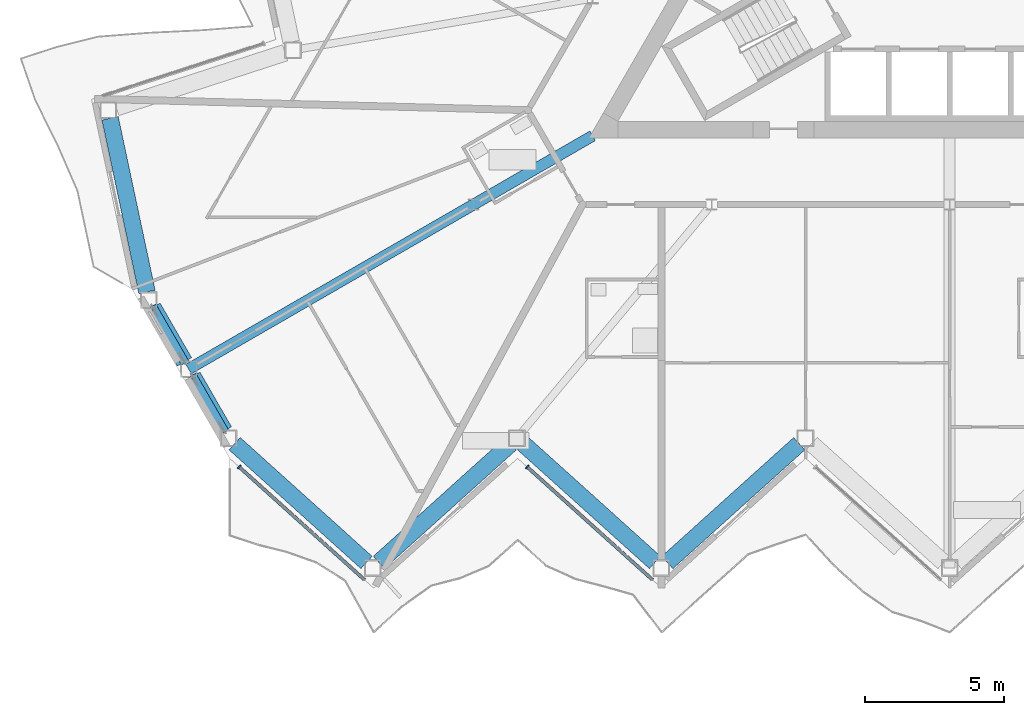
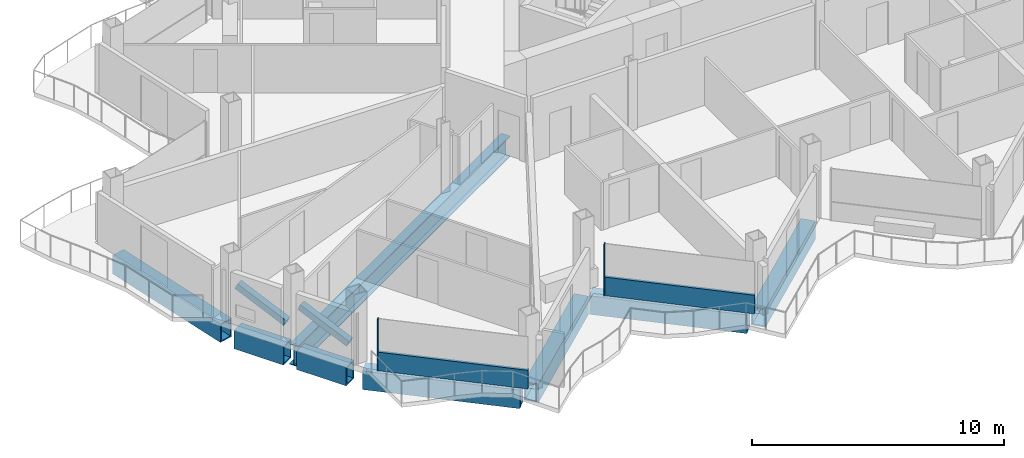
# One storey, part 4 of 28: 7 beams, 7 members, 2 elements without a shape of their own.
"""IFC4 building model written with IfcOpenShell, lengths in metres."""

from ifc_helpers import new_model, si_unit, direction, frame, origin, origin_2d, place, context, subcontext, project, spatial, rectangle, hollow_rectangle, i_section, extrude, material, layer, layer_set, material_profile, profile_set, type_object, element, aggregate, save


model = new_model("IFC4")

# Units and contexts
model_context = context("Model", 3, precision=1e-05, world=origin(), true_north=direction((0.0, 1.0)))
body_context = subcontext(model_context, "Body", "Model", "MODEL_VIEW")
ifc_project = project(units=[si_unit("LENGTHUNIT", "METRE"), si_unit("AREAUNIT", "SQUARE_METRE"), si_unit("VOLUMEUNIT", "CUBIC_METRE"), si_unit("PLANEANGLEUNIT", "RADIAN"), si_unit("MASSUNIT", "GRAM", prefix="KILO")], contexts=[model_context])

# Site, building, storey
site_placement = place(None, origin())
site = spatial("IfcSite", under=ifc_project, at=site_placement, CompositionType="ELEMENT")
building_placement = place(site_placement, origin())
building = spatial("IfcBuilding", under=site, at=building_placement, Name="Cormorant Prow Tower", CompositionType="ELEMENT")
storey_placement = place(building_placement, frame((0.0, 0.0, 301.800048828125)))
storey = spatial("IfcBuildingStorey", under=building, at=storey_placement, Name="L65", CompositionType="ELEMENT", Elevation=301.800048828125)

# Beams
ifc_material_1 = material(Name="Structural steel ASTM A572 Gr 50", Category="steel")
ifc_material_profile_1 = material_profile(ifc_material_1, hollow_rectangle(XDim=0.60009765625, YDim=0.89990234375, WallThickness=0.06005859375, at=origin_2d()), Name="Box 900x600x60")
ifc_profile_set_1 = profile_set([ifc_material_profile_1], Name="Structural steel ASTM A572 Gr 50")
beam_type = type_object("IfcBeamType", Name="Belt truss top chord 900x600x60", PredefinedType="BEAM", material=ifc_profile_set_1)
beam_1_placement = place(storey_placement, frame((-25.7724609375, -18.527587890625, -0.75), z_axis=(0.743144186555, -0.669131315954, 0.0), x_axis=(0.669131315954, 0.743144186555, 0.0)))
element("IfcBeam", 1, at=beam_1_placement, inside=storey, type_object=beam_type, Name="Belt truss top chord TC2 S00-S01 L65", PredefinedType="BEAM", context=body_context, shape_type="SweptSolid", body=[
    extrude(hollow_rectangle(XDim=0.60009765625, YDim=0.89990234375, WallThickness=0.06005859375, at=origin_2d()), origin(), (0.0, 0.0, 1.0), 6.39599609375),
])
beam_2_placement = place(storey_placement, frame((-20.573486328125, -22.807373046875, -0.75), z_axis=(0.743161276225, 0.669112335502, 0.0), x_axis=(-0.669112335502, 0.743161276225, 0.0)))
element("IfcBeam", 2, at=beam_2_placement, inside=storey, type_object=beam_type, Name="Belt truss top chord TC2 S01-S02 L65", PredefinedType="BEAM", context=body_context, shape_type="SweptSolid", body=[
    extrude(hollow_rectangle(XDim=0.60009765625, YDim=0.89990234375, WallThickness=0.06005859375, at=origin_2d()), origin(), (0.0, 0.0, 1.0), 6.396240234375),
])
for number, where, z_axis, x_axis, name in (
    (3, (-15.374267578125, -18.527587890625, -0.75), (0.743144186555, -0.669131315954, 0.0), (0.669131315954, 0.743144186555, 0.0), "Belt truss top chord TC2 S02-S03 L65"),
    (4, (-10.17529296875, -22.807373046875, -0.75), (0.743144186555, 0.669131315954, 0.0), (-0.669131315954, 0.743144186555, 0.0), "Belt truss top chord TC2 S03-S04 L65"),
):
    element("IfcBeam", number, at=place(storey_placement, frame(where, z_axis=z_axis, x_axis=x_axis)), inside=storey, type_object=beam_type, Name=name, PredefinedType="BEAM", context=body_context, shape_type="SweptSolid", body=[
        extrude(hollow_rectangle(XDim=0.60009765625, YDim=0.89990234375, WallThickness=0.06005859375, at=origin_2d()), origin(), (0.0, 0.0, 1.0), 6.39599609375),
    ])
beam_3_placement = place(storey_placement, frame((-30.261474609375, -6.799560546875, -0.75), z_axis=(0.20791262393, -0.978147402394, 0.0), x_axis=(0.978147402394, 0.20791262393, 0.0)))
element("IfcBeam", 5, at=beam_3_placement, inside=storey, type_object=beam_type, Name="Belt truss top chord TC2 WNW09-WSW00 L65", PredefinedType="BEAM", context=body_context, shape_type="SweptSolid", body=[
    extrude(hollow_rectangle(XDim=0.60009765625, YDim=0.89990234375, WallThickness=0.06005859375, at=origin_2d()), origin(), (0.0, 0.0, 1.0), 6.396240234375),
])
beam_4_placement = place(storey_placement, frame((-28.71923828125, -13.609130859375, -0.75), z_axis=(0.500053962254, -0.865994246421, 0.0), x_axis=(0.865994246421, 0.500053962254, 0.0)))
element("IfcBeam", 6, at=beam_4_placement, inside=storey, type_object=beam_type, Name="Belt truss top chord TC2 WSW00-WSW01 L65", PredefinedType="BEAM", context=body_context, shape_type="SweptSolid", body=[
    extrude(hollow_rectangle(XDim=0.60009765625, YDim=0.89990234375, WallThickness=0.06005859375, at=origin_2d()), origin(), (0.0, 0.0, 1.0), 2.273681640625),
])
beam_5_placement = place(storey_placement, frame((-27.2822265625, -16.097900390625, -0.75), z_axis=(0.49997342893, -0.866040744055, 0.0), x_axis=(0.866040744055, 0.49997342893, 0.0)))
element("IfcBeam", 7, at=beam_5_placement, inside=storey, type_object=beam_type, Name="Belt truss top chord TC2 WSW01-S00 L65", PredefinedType="BEAM", context=body_context, shape_type="SweptSolid", body=[
    extrude(hollow_rectangle(XDim=0.60009765625, YDim=0.89990234375, WallThickness=0.06005859375, at=origin_2d()), origin(), (0.0, 0.0, 1.0), 2.2734375),
])

# Members
ifc_material_2 = material(Name="Structural steel ASTM A500 Gr C", Category="steel")
ifc_material_profile_2 = material_profile(ifc_material_2, hollow_rectangle(XDim=0.3046875, YDim=0.3046875, WallThickness=0.01171875, at=origin_2d()), Name="HSS12x12x1/2")
ifc_profile_set_2 = profile_set([ifc_material_profile_2], Name="Structural steel ASTM A500 Gr C")
member_type_1 = type_object("IfcMemberType", Name="Chamfer brace HSS12x12x1/2", PredefinedType="BRACE", material=ifc_profile_set_2)
for number, where, z_axis, x_axis, name in (
    (8, (-27.589599609375, -15.5654296875, 0.740966796875), (-0.456247183882, 0.790292391402, 0.408994429415), (-0.866038851724, -0.499976706761, 0.0), "Chamfer brace BR3 at WSW00 L65"),
    (9, (-26.15283203125, -18.05419921875, 0.740966796875), (-0.456247183882, 0.790292391402, 0.408994429415), (-0.866038851724, -0.499976706761, 0.0), "Chamfer brace BR3 at WSW01 L65"),
):
    element("IfcMember", number, at=place(storey_placement, frame(where, z_axis=z_axis, x_axis=x_axis)), inside=storey, type_object=member_type_1, Name=name, PredefinedType="BRACE", context=body_context, shape_type="SweptSolid", body=[
        extrude(hollow_rectangle(XDim=0.3046875, YDim=0.3046875, WallThickness=0.01171875, at=origin_2d()), origin(), (0.0, 0.0, 1.0), 2.459228515625),
    ])
ifc_material_3 = material(Name="Structural steel ASTM A992 Gr 50", Category="steel")
ifc_material_profile_3 = material_profile(ifc_material_3, i_section(OverallWidth=0.39990234375, OverallDepth=1.000244140625, WebThickness=0.01904296875, FlangeThickness=0.0361328125, at=origin_2d()), Name="W40x249")
ifc_profile_set_3 = profile_set([ifc_material_profile_3], Name="Structural steel ASTM A992 Gr 50")
member_type_2 = type_object("IfcMemberType", Name="Outrigger chord W40x249", PredefinedType="CHORD", material=ifc_profile_set_3)
member_1_placement = place(storey_placement, frame((-12.8701171875, -7.430419921875, -0.80029296875), z_axis=(-0.86602044652, -0.500008586136, 0.0), x_axis=(0.500008586136, -0.86602044652, 0.0)))
element("IfcMember", 10, at=member_1_placement, inside=storey, type_object=member_type_2, Name="Outrigger top chord 3 L65", PredefinedType="CHORD", context=body_context, shape_type="SweptSolid", body=[
    extrude(i_section(OverallWidth=0.39990234375, OverallDepth=1.000244140625, WebThickness=0.01904296875, FlangeThickness=0.0361328125, at=origin_2d()), origin(), (0.0, 0.0, 1.0), 16.815185546875),
])

# Curtain wall, member
ifc_material_4 = material(Name="Aluminium 6063-T6", Category="aluminium")
ifc_layer = layer(ifc_material_4, 0.159912109375)
ifc_layer_set = layer_set([ifc_layer], Name="Aluminium 6063-T6")
curtain_wall_type = type_object("IfcCurtainWallType", Name="Residential unitised curtain wall 160", PredefinedType="NOTDEFINED", material=ifc_layer_set)
curtain_wall_1_placement = place(storey_placement, origin())
curtain_wall_1 = element("IfcCurtainWall", 11, at=curtain_wall_1_placement, inside=storey, type_object=curtain_wall_type, Name="Residential curtain wall S00", PredefinedType="NOTDEFINED")
ifc_material_5 = material(Name="Aluminium 6063-T6", Category="aluminium")
ifc_material_profile_4 = material_profile(ifc_material_5, rectangle(XDim=0.159912109375, YDim=0.050048828125, at=origin_2d()), Name="Residential mullion 50x160")
ifc_profile_set_4 = profile_set([ifc_material_profile_4], Name="Aluminium 6063-T6")
member_type_3 = type_object("IfcMemberType", Name="Residential mullion 50x160", PredefinedType="MULLION", material=ifc_profile_set_4)
member_2_placement = place(storey_placement, frame((-25.613525390625, -19.362060546875, 0.0), z_axis=(0.0, 0.0, 1.0), x_axis=(0.669130584997, 0.743144844712, 0.0)))
member_2 = element("IfcMember", 12, at=member_2_placement, type_object=member_type_3, Name="Residential mullion S00", PredefinedType="MULLION", context=body_context, shape_type="SweptSolid", body=[
    extrude(rectangle(XDim=0.159912109375, YDim=0.050048828125, at=origin_2d()), origin(), (0.0, 0.0, 1.0), 2.48779296875),
])

curtain_wall_2_placement = place(storey_placement, origin())
curtain_wall_2 = element("IfcCurtainWall", 13, at=curtain_wall_2_placement, inside=storey, type_object=curtain_wall_type, Name="Residential curtain wall S02", PredefinedType="NOTDEFINED")
member_3_placement = place(storey_placement, frame((-15.231689453125, -19.362060546875, 0.0), z_axis=(0.0, 0.0, 1.0), x_axis=(0.669130584997, 0.743144844712, 0.0)))
member_3 = element("IfcMember", 14, at=member_3_placement, type_object=member_type_3, Name="Residential mullion S02", PredefinedType="MULLION", context=body_context, shape_type="SweptSolid", body=[
    extrude(rectangle(XDim=0.159912109375, YDim=0.050048828125, at=origin_2d()), origin(), (0.0, 0.0, 1.0), 2.48779296875),
])

# Member
ifc_material_6 = material(Name="Terracotta", Category="masonry")
ifc_material_profile_5 = material_profile(ifc_material_6, rectangle(XDim=0.1201171875, YDim=0.89990234375, at=origin_2d()), Name="Residential terracotta spandrel rail 120x900")
ifc_profile_set_5 = profile_set([ifc_material_profile_5], Name="Terracotta")
member_type_4 = type_object("IfcMemberType", Name="Residential terracotta spandrel rail 120x900", PredefinedType="USERDEFINED", material=ifc_profile_set_5)
member_4_placement = place(storey_placement, frame((-25.594970703125, -19.37890625, 0.449951171875), z_axis=(0.74315806971, -0.669115896856, 0.0), x_axis=(0.669115896856, 0.74315806971, 0.0)))
member_4 = element("IfcMember", 15, at=member_4_placement, type_object=member_type_4, Name="Residential spandrel rail S00", ObjectType="TRANSOM", PredefinedType="USERDEFINED", context=body_context, shape_type="SweptSolid", body=[
    extrude(rectangle(XDim=0.1201171875, YDim=0.89990234375, at=origin_2d()), origin(), (0.0, 0.0, 1.0), 6.067138671875),
])

aggregate(curtain_wall_1, [member_2, member_4])

member_5_placement = place(storey_placement, frame((-15.213134765625, -19.37890625, 0.449951171875), z_axis=(0.74315806971, -0.669115896856, 0.0), x_axis=(0.669115896856, 0.74315806971, 0.0)))
member_5 = element("IfcMember", 16, at=member_5_placement, type_object=member_type_4, Name="Residential spandrel rail S02", ObjectType="TRANSOM", PredefinedType="USERDEFINED", context=body_context, shape_type="SweptSolid", body=[
    extrude(rectangle(XDim=0.1201171875, YDim=0.89990234375, at=origin_2d()), origin(), (0.0, 0.0, 1.0), 6.067138671875),
])

aggregate(curtain_wall_2, [member_3, member_5])

save(model, "model.ifc")
